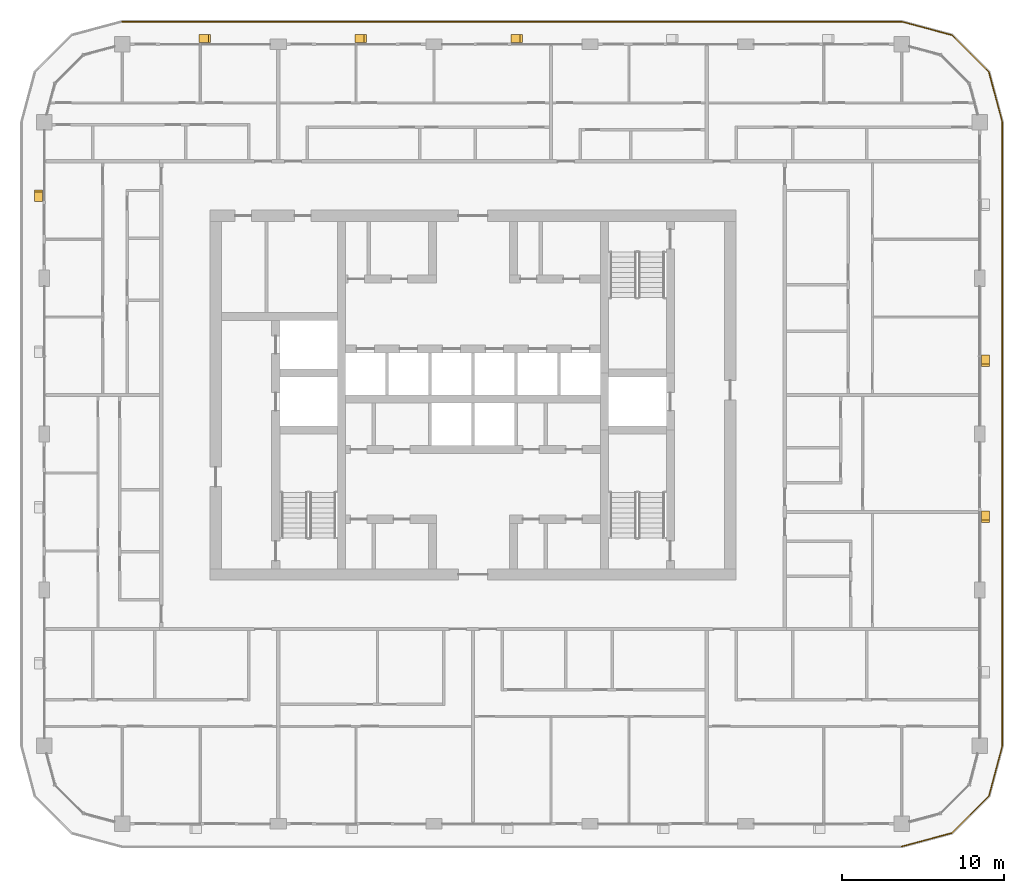
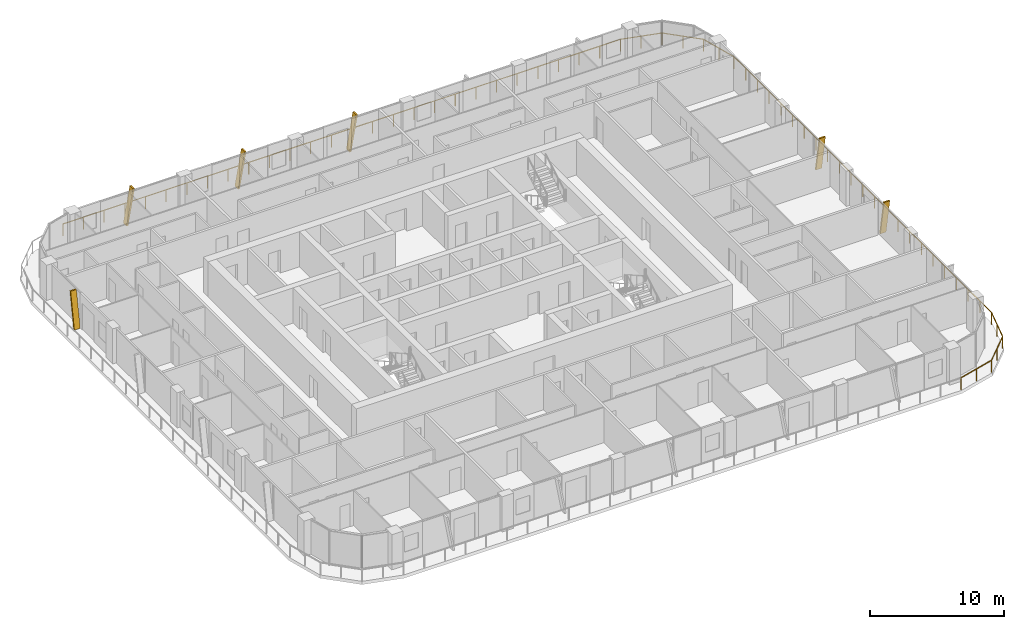
# One storey, part 21 of 22: 6 shading devices, 1 railing.
"""IFC4 building model written with IfcOpenShell, lengths in metres."""

from ifc_helpers import new_model, si_unit, direction, frame, origin, origin_2d, place, context, subcontext, project, spatial, polyline, circle, outline, extrude, material, type_object, element, save


model = new_model("IFC4")

# Units and contexts
model_context = context("Model", 3, precision=1e-05, world=origin(), true_north=direction((0.0, 1.0)))
body_context = subcontext(model_context, "Body", "Model", "MODEL_VIEW")
ifc_project = project(units=[si_unit("LENGTHUNIT", "METRE"), si_unit("AREAUNIT", "SQUARE_METRE"), si_unit("VOLUMEUNIT", "CUBIC_METRE"), si_unit("PLANEANGLEUNIT", "RADIAN"), si_unit("MASSUNIT", "GRAM", prefix="KILO")], contexts=[model_context])

# Site, building, storey
site_placement = place(None, origin())
site = spatial("IfcSite", under=ifc_project, at=site_placement, CompositionType="ELEMENT")
building_placement = place(site_placement, origin())
building = spatial("IfcBuilding", under=site, at=building_placement, Name="Madar Terraces", CompositionType="ELEMENT")
storey_placement = place(building_placement, frame((0.0, 0.0, 189.39990234375)))
storey = spatial("IfcBuildingStorey", under=building, at=storey_placement, Name="L49", CompositionType="ELEMENT", Elevation=189.39990234375)

# Railing
ifc_material_1 = material(Name="Glass, safety glazing, with stainless steel posts", Category="steel")
railing_type = type_object("IfcRailingType", Name="Balcony glass guard 1100", PredefinedType="GUARDRAIL", material=ifc_material_1)
railing_placement = place(storey_placement, frame((57.60009765625, -1.39990234375, 0.0)))
element("IfcRailing", 1, at=railing_placement, inside=storey, type_object=railing_type, Name="Balcony guard", PredefinedType="GUARDRAIL", context=body_context, shape_type="SweptSolid", body=[
    extrude(circle(Radius=0.02392578125, at=origin_2d()), frame((0.0, 0.0, 1.076171875), z_axis=(0.965928696102, 0.258808334578, 0.0), x_axis=(-0.258808334578, 0.965928696102, 0.0)), (0.0, 0.0, 1.0), 3.209228515625),
    extrude(circle(Radius=0.02392578125, at=origin_2d()), frame((3.099853515625, 0.83056640625, 1.076171875), z_axis=(0.707144815061, 0.707068745266, 0.0), x_axis=(-0.707068745266, 0.707144815061, 0.0)), (0.0, 0.0, 1.0), 3.20947265625),
    extrude(circle(Radius=0.02392578125, at=origin_2d()), frame((5.369384765625, 3.099853515625, 1.076171875), z_axis=(0.258789317819, 0.9659337912, 0.0), x_axis=(-0.9659337912, 0.258789317819, 0.0)), (0.0, 0.0, 1.0), 3.20947265625),
    extrude(circle(Radius=0.02392578125, at=origin_2d()), frame((6.199951171875, 6.199951171875, 1.076171875), z_axis=(0.0, 1.0, 0.0), x_axis=(-1.0, 0.0, 0.0)), (0.0, 0.0, 1.0), 38.39990234375),
    extrude(circle(Radius=0.02392578125, at=origin_2d()), frame((6.199951171875, 44.599853515625, 1.076171875), z_axis=(-0.258789317819, 0.9659337912, 0.0), x_axis=(-0.9659337912, -0.258789317819, 0.0)), (0.0, 0.0, 1.0), 3.20947265625),
    extrude(circle(Radius=0.02392578125, at=origin_2d()), frame((5.369384765625, 47.699951171875, 1.076171875), z_axis=(-0.707144815061, 0.707068745266, 0.0), x_axis=(-0.707068745266, -0.707144815061, 0.0)), (0.0, 0.0, 1.0), 3.20947265625),
    extrude(circle(Radius=0.02392578125, at=origin_2d()), frame((3.099853515625, 49.96923828125, 1.076171875), z_axis=(-0.965928696102, 0.258808334578, 0.0), x_axis=(-0.258808334578, -0.965928696102, 0.0)), (0.0, 0.0, 1.0), 3.209228515625),
    extrude(circle(Radius=0.02392578125, at=origin_2d()), frame((0.0, 50.7998046875, 1.076171875), z_axis=(-1.0, 0.0, 0.0), x_axis=(0.0, -1.0, 0.0)), (0.0, 0.0, 1.0), 48.0),
    extrude(circle(Radius=0.02099609375, at=origin_2d()), origin(), (0.0, 0.0, 1.0), 1.052001953125),
    extrude(circle(Radius=0.02099609375, at=origin_2d()), frame((1.5498046875, 0.415283203125, 0.0)), (0.0, 0.0, 1.0), 1.052001953125),
    extrude(circle(Radius=0.02099609375, at=origin_2d()), frame((3.099853515625, 0.83056640625, 0.0)), (0.0, 0.0, 1.0), 1.052001953125),
    extrude(circle(Radius=0.02099609375, at=origin_2d()), frame((4.234619140625, 1.96533203125, 0.0)), (0.0, 0.0, 1.0), 1.052001953125),
    extrude(circle(Radius=0.02099609375, at=origin_2d()), frame((5.369384765625, 3.099853515625, 0.0)), (0.0, 0.0, 1.0), 1.052001953125),
    extrude(circle(Radius=0.02099609375, at=origin_2d()), frame((5.78466796875, 4.64990234375, 0.0)), (0.0, 0.0, 1.0), 1.052001953125),
    extrude(circle(Radius=0.02099609375, at=origin_2d()), frame((6.199951171875, 6.199951171875, 0.0)), (0.0, 0.0, 1.0), 1.052001953125),
    extrude(circle(Radius=0.02099609375, at=origin_2d()), frame((6.199951171875, 7.9453125, 0.0)), (0.0, 0.0, 1.0), 1.052001953125),
    extrude(circle(Radius=0.02099609375, at=origin_2d()), frame((6.199951171875, 9.69091796875, 0.0)), (0.0, 0.0, 1.0), 1.052001953125),
    extrude(circle(Radius=0.02099609375, at=origin_2d()), frame((6.199951171875, 11.436279296875, 0.0)), (0.0, 0.0, 1.0), 1.052001953125),
    extrude(circle(Radius=0.02099609375, at=origin_2d()), frame((6.199951171875, 13.181640625, 0.0)), (0.0, 0.0, 1.0), 1.052001953125),
    extrude(circle(Radius=0.02099609375, at=origin_2d()), frame((6.199951171875, 14.92724609375, 0.0)), (0.0, 0.0, 1.0), 1.052001953125),
    extrude(circle(Radius=0.02099609375, at=origin_2d()), frame((6.199951171875, 16.672607421875, 0.0)), (0.0, 0.0, 1.0), 1.052001953125),
    extrude(circle(Radius=0.02099609375, at=origin_2d()), frame((6.199951171875, 18.418212890625, 0.0)), (0.0, 0.0, 1.0), 1.052001953125),
    extrude(circle(Radius=0.02099609375, at=origin_2d()), frame((6.199951171875, 20.16357421875, 0.0)), (0.0, 0.0, 1.0), 1.052001953125),
    extrude(circle(Radius=0.02099609375, at=origin_2d()), frame((6.199951171875, 21.908935546875, 0.0)), (0.0, 0.0, 1.0), 1.052001953125),
    extrude(circle(Radius=0.02099609375, at=origin_2d()), frame((6.199951171875, 23.654541015625, 0.0)), (0.0, 0.0, 1.0), 1.052001953125),
    extrude(circle(Radius=0.02099609375, at=origin_2d()), frame((6.199951171875, 25.39990234375, 0.0)), (0.0, 0.0, 1.0), 1.052001953125),
    extrude(circle(Radius=0.02099609375, at=origin_2d()), frame((6.199951171875, 27.145263671875, 0.0)), (0.0, 0.0, 1.0), 1.052001953125),
    extrude(circle(Radius=0.02099609375, at=origin_2d()), frame((6.199951171875, 28.890869140625, 0.0)), (0.0, 0.0, 1.0), 1.052001953125),
    extrude(circle(Radius=0.02099609375, at=origin_2d()), frame((6.199951171875, 30.63623046875, 0.0)), (0.0, 0.0, 1.0), 1.052001953125),
    extrude(circle(Radius=0.02099609375, at=origin_2d()), frame((6.199951171875, 32.381591796875, 0.0)), (0.0, 0.0, 1.0), 1.052001953125),
    extrude(circle(Radius=0.02099609375, at=origin_2d()), frame((6.199951171875, 34.127197265625, 0.0)), (0.0, 0.0, 1.0), 1.052001953125),
    extrude(circle(Radius=0.02099609375, at=origin_2d()), frame((6.199951171875, 35.87255859375, 0.0)), (0.0, 0.0, 1.0), 1.052001953125),
    extrude(circle(Radius=0.02099609375, at=origin_2d()), frame((6.199951171875, 37.6181640625, 0.0)), (0.0, 0.0, 1.0), 1.052001953125),
    extrude(circle(Radius=0.02099609375, at=origin_2d()), frame((6.199951171875, 39.363525390625, 0.0)), (0.0, 0.0, 1.0), 1.052001953125),
    extrude(circle(Radius=0.02099609375, at=origin_2d()), frame((6.199951171875, 41.10888671875, 0.0)), (0.0, 0.0, 1.0), 1.052001953125),
    extrude(circle(Radius=0.02099609375, at=origin_2d()), frame((6.199951171875, 42.8544921875, 0.0)), (0.0, 0.0, 1.0), 1.052001953125),
    extrude(circle(Radius=0.02099609375, at=origin_2d()), frame((6.199951171875, 44.599853515625, 0.0)), (0.0, 0.0, 1.0), 1.052001953125),
    extrude(circle(Radius=0.02099609375, at=origin_2d()), frame((5.78466796875, 46.14990234375, 0.0)), (0.0, 0.0, 1.0), 1.052001953125),
    extrude(circle(Radius=0.02099609375, at=origin_2d()), frame((5.369384765625, 47.699951171875, 0.0)), (0.0, 0.0, 1.0), 1.052001953125),
    extrude(circle(Radius=0.02099609375, at=origin_2d()), frame((4.234619140625, 48.83447265625, 0.0)), (0.0, 0.0, 1.0), 1.052001953125),
    extrude(circle(Radius=0.02099609375, at=origin_2d()), frame((3.099853515625, 49.96923828125, 0.0)), (0.0, 0.0, 1.0), 1.052001953125),
    extrude(circle(Radius=0.02099609375, at=origin_2d()), frame((1.5498046875, 50.384521484375, 0.0)), (0.0, 0.0, 1.0), 1.052001953125),
    extrude(circle(Radius=0.02099609375, at=origin_2d()), frame((0.0, 50.7998046875, 0.0)), (0.0, 0.0, 1.0), 1.052001953125),
    extrude(circle(Radius=0.02099609375, at=origin_2d()), frame((-1.77783203125, 50.7998046875, 0.0)), (0.0, 0.0, 1.0), 1.052001953125),
    extrude(circle(Radius=0.02099609375, at=origin_2d()), frame((-3.5556640625, 50.7998046875, 0.0)), (0.0, 0.0, 1.0), 1.052001953125),
    extrude(circle(Radius=0.02099609375, at=origin_2d()), frame((-5.333251953125, 50.7998046875, 0.0)), (0.0, 0.0, 1.0), 1.052001953125),
    extrude(circle(Radius=0.02099609375, at=origin_2d()), frame((-7.111083984375, 50.7998046875, 0.0)), (0.0, 0.0, 1.0), 1.052001953125),
    extrude(circle(Radius=0.02099609375, at=origin_2d()), frame((-8.888916015625, 50.7998046875, 0.0)), (0.0, 0.0, 1.0), 1.052001953125),
    extrude(circle(Radius=0.02099609375, at=origin_2d()), frame((-10.666748046875, 50.7998046875, 0.0)), (0.0, 0.0, 1.0), 1.052001953125),
    extrude(circle(Radius=0.02099609375, at=origin_2d()), frame((-12.4443359375, 50.7998046875, 0.0)), (0.0, 0.0, 1.0), 1.052001953125),
    extrude(circle(Radius=0.02099609375, at=origin_2d()), frame((-14.22216796875, 50.7998046875, 0.0)), (0.0, 0.0, 1.0), 1.052001953125),
    extrude(circle(Radius=0.02099609375, at=origin_2d()), frame((-16.0, 50.7998046875, 0.0)), (0.0, 0.0, 1.0), 1.052001953125),
    extrude(circle(Radius=0.02099609375, at=origin_2d()), frame((-17.77783203125, 50.7998046875, 0.0)), (0.0, 0.0, 1.0), 1.052001953125),
    extrude(circle(Radius=0.02099609375, at=origin_2d()), frame((-19.5556640625, 50.7998046875, 0.0)), (0.0, 0.0, 1.0), 1.052001953125),
    extrude(circle(Radius=0.02099609375, at=origin_2d()), frame((-21.333251953125, 50.7998046875, 0.0)), (0.0, 0.0, 1.0), 1.052001953125),
    extrude(circle(Radius=0.02099609375, at=origin_2d()), frame((-23.111083984375, 50.7998046875, 0.0)), (0.0, 0.0, 1.0), 1.052001953125),
    extrude(circle(Radius=0.02099609375, at=origin_2d()), frame((-24.888916015625, 50.7998046875, 0.0)), (0.0, 0.0, 1.0), 1.052001953125),
    extrude(circle(Radius=0.02099609375, at=origin_2d()), frame((-26.666748046875, 50.7998046875, 0.0)), (0.0, 0.0, 1.0), 1.052001953125),
    extrude(circle(Radius=0.02099609375, at=origin_2d()), frame((-28.4443359375, 50.7998046875, 0.0)), (0.0, 0.0, 1.0), 1.052001953125),
    extrude(circle(Radius=0.02099609375, at=origin_2d()), frame((-30.22216796875, 50.7998046875, 0.0)), (0.0, 0.0, 1.0), 1.052001953125),
    extrude(circle(Radius=0.02099609375, at=origin_2d()), frame((-32.0, 50.7998046875, 0.0)), (0.0, 0.0, 1.0), 1.052001953125),
    extrude(circle(Radius=0.02099609375, at=origin_2d()), frame((-33.77783203125, 50.7998046875, 0.0)), (0.0, 0.0, 1.0), 1.052001953125),
    extrude(circle(Radius=0.02099609375, at=origin_2d()), frame((-35.5556640625, 50.7998046875, 0.0)), (0.0, 0.0, 1.0), 1.052001953125),
    extrude(circle(Radius=0.02099609375, at=origin_2d()), frame((-37.333251953125, 50.7998046875, 0.0)), (0.0, 0.0, 1.0), 1.052001953125),
    extrude(circle(Radius=0.02099609375, at=origin_2d()), frame((-39.111083984375, 50.7998046875, 0.0)), (0.0, 0.0, 1.0), 1.052001953125),
    extrude(circle(Radius=0.02099609375, at=origin_2d()), frame((-40.888916015625, 50.7998046875, 0.0)), (0.0, 0.0, 1.0), 1.052001953125),
    extrude(circle(Radius=0.02099609375, at=origin_2d()), frame((-42.666748046875, 50.7998046875, 0.0)), (0.0, 0.0, 1.0), 1.052001953125),
    extrude(circle(Radius=0.02099609375, at=origin_2d()), frame((-44.4443359375, 50.7998046875, 0.0)), (0.0, 0.0, 1.0), 1.052001953125),
    extrude(circle(Radius=0.02099609375, at=origin_2d()), frame((-46.22216796875, 50.7998046875, 0.0)), (0.0, 0.0, 1.0), 1.052001953125),
    extrude(circle(Radius=0.02099609375, at=origin_2d()), frame((-48.0, 50.7998046875, 0.0)), (0.0, 0.0, 1.0), 1.052001953125),
])

# Shading devices
ifc_material_2 = material(Name="Aluminium, black anodised", Category="aluminium")
shading_device_type = type_object("IfcShadingDeviceType", Name="Facade fin blade 140 x 500", PredefinedType="USERDEFINED", material=ifc_material_2)
for number, where, z_axis, x_axis, name in (
    (2, (62.75, 19.1298828125, 0.0), (0.0, 0.0, 1.0), (0.0, 1.0, 0.0), "FIN L49 E2"),
    (3, (62.75, 28.72998046875, 0.0), (0.0, 0.0, 1.0), (0.0, 1.0, 0.0), "FIN L49 E3"),
):
    element("IfcShadingDevice", number, at=place(storey_placement, frame(where, z_axis=z_axis, x_axis=x_axis)), inside=storey, type_object=shading_device_type, Name=name, ObjectType="FIN", PredefinedType="USERDEFINED", context=body_context, shape_type="SweptSolid", body=[
        extrude(outline(polyline([(0.0, 0.0), (0.14013671875, 0.0), (-0.42431640625, 3.2001953125), (-0.564208984375, 3.2001953125), (0.0, 0.0)])), frame((0.0, 0.25, 0.0), z_axis=(0.0, -1.0, 0.0), x_axis=(1.0, 0.0, 0.0)), (0.0, 0.0, 1.0), 0.5),
    ])
shading_device_1_placement = place(storey_placement, frame((33.669921875, 48.35009765625, 0.0), z_axis=(0.0, 0.0, 1.0), x_axis=(-1.0, 0.0, 0.0)))
element("IfcShadingDevice", 4, at=shading_device_1_placement, inside=storey, type_object=shading_device_type, Name="FIN L49 N3", ObjectType="FIN", PredefinedType="USERDEFINED", context=body_context, shape_type="SweptSolid", body=[
    extrude(outline(polyline([(0.0, 0.0), (0.139892578125, 0.0), (-0.42431640625, 3.2001953125), (-0.564208984375, 3.2001953125), (0.0, 0.0)])), frame((0.0, 0.25, 0.0), z_axis=(0.0, -1.0, 0.0), x_axis=(1.0, 0.0, 0.0)), (0.0, 0.0, 1.0), 0.5),
])
shading_device_2_placement = place(storey_placement, frame((24.070068359375, 48.35009765625, 0.0), z_axis=(0.0, 0.0, 1.0), x_axis=(-1.0, 0.0, 0.0)))
element("IfcShadingDevice", 5, at=shading_device_2_placement, inside=storey, type_object=shading_device_type, Name="FIN L49 N4", ObjectType="FIN", PredefinedType="USERDEFINED", context=body_context, shape_type="SweptSolid", body=[
    extrude(outline(polyline([(0.0, 0.0), (0.14013671875, 0.0), (-0.42431640625, 3.2001953125), (-0.564208984375, 3.2001953125), (0.0, 0.0)])), frame((0.0, 0.25, 0.0), z_axis=(0.0, -1.0, 0.0), x_axis=(1.0, 0.0, 0.0)), (0.0, 0.0, 1.0), 0.5),
])
for number, where, z_axis, x_axis, name in (
    (6, (14.469970703125, 48.35009765625, 0.0), (0.0, 0.0, 1.0), (-1.0, 0.0, 0.0), "FIN L49 N5"),
    (7, (4.449951171875, 38.469970703125, 0.0), (0.0, 0.0, 1.0), (0.0, -1.0, 0.0), "FIN L49 W1"),
):
    element("IfcShadingDevice", number, at=place(storey_placement, frame(where, z_axis=z_axis, x_axis=x_axis)), inside=storey, type_object=shading_device_type, Name=name, ObjectType="FIN", PredefinedType="USERDEFINED", context=body_context, shape_type="SweptSolid", body=[
        extrude(outline(polyline([(0.0, 0.0), (0.139892578125, 0.0), (-0.42431640625, 3.2001953125), (-0.564208984375, 3.2001953125), (0.0, 0.0)])), frame((0.0, 0.25, 0.0), z_axis=(0.0, -1.0, 0.0), x_axis=(1.0, 0.0, 0.0)), (0.0, 0.0, 1.0), 0.5),
    ])

save(model, "model.ifc")
